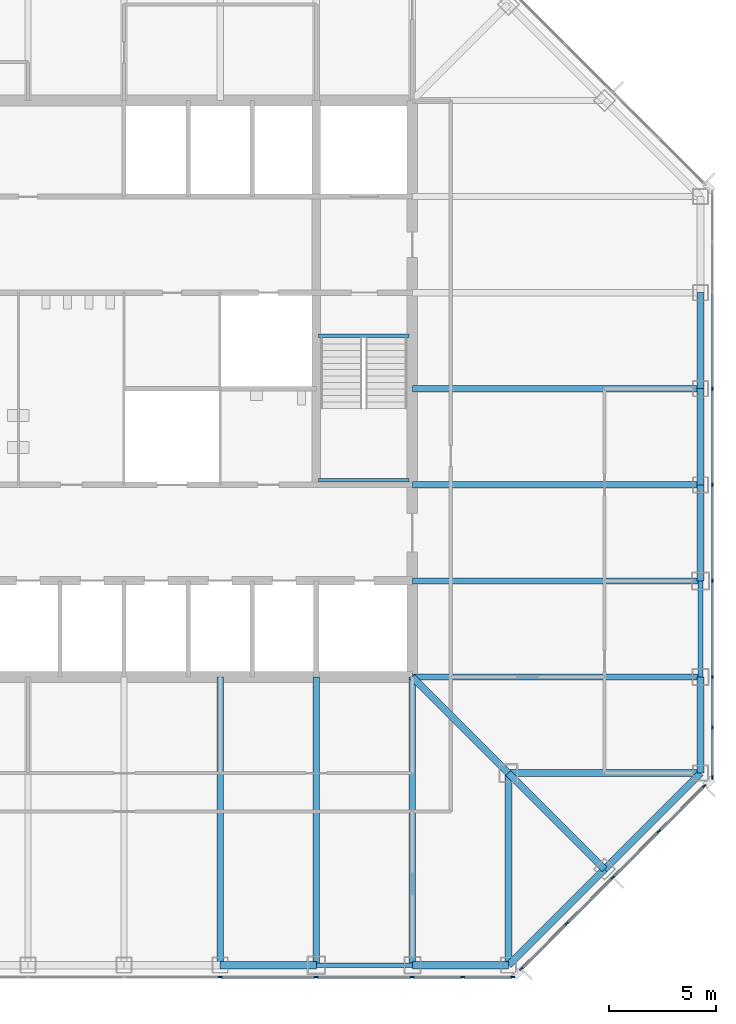
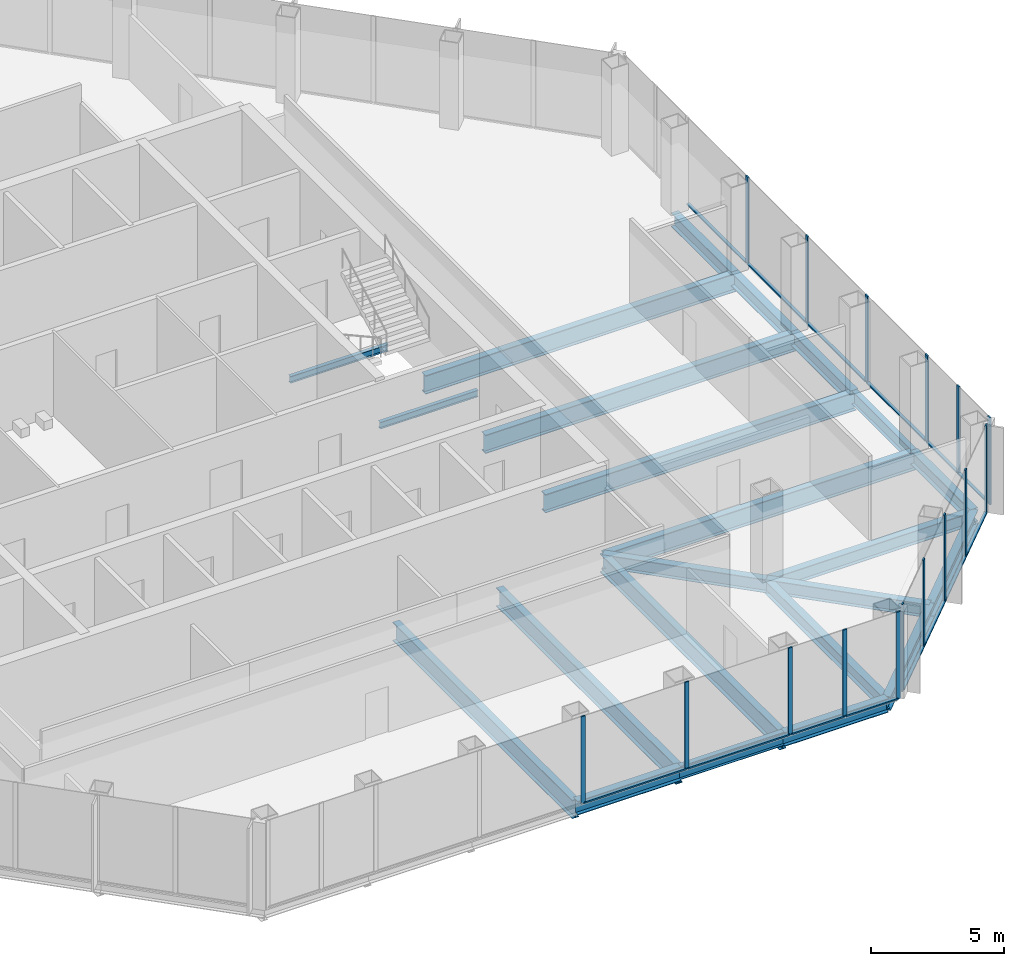
# One storey, part 4 of 12: 30 members, 23 beams, 3 elements without a shape of their own.
"""IFC4 building model written with IfcOpenShell, lengths in metres."""

import ifcopenshell
import ifcopenshell.guid

model = None  # the IFC model being written
_history = None  # IfcOwnerHistory: only IFC2X3 demands one
_inside = {}  # id of a spatial element -> (the spatial element, [elements in it])
_under = {}  # id of a project, library or spatial element -> (it, [spatial elements below it])
_declared = {}  # id of a project -> (the project, [libraries it declares])
_typed = {}  # id of a type object -> (the type object, [elements of that type])
_made_of = {}  # id of a material, layer set ... -> (it, [elements and type objects made of it])


def new_model(schema):
    """Start an empty IFC model of exactly this schema.

    Asked for "IFC4X3", IfcOpenShell would pick the latest addendum, in which some entities
    have other attributes; the version numbers below select the first issue.
    IFC2X3 requires an IfcOwnerHistory on every rooted entity: one is made here for all.
    """
    global model, _history
    if schema == "IFC4X3":
        model = ifcopenshell.file(schema_version=(4, 3, 0, 0))
    else:
        model = ifcopenshell.file(schema=schema)
    _inside.clear()
    _under.clear()
    _declared.clear()
    _typed.clear()
    _made_of.clear()
    _history = None
    if model.schema == "IFC2X3":
        org = make("IfcOrganization", Name="unknown")
        user = make(
            "IfcPersonAndOrganization",
            ThePerson=make("IfcPerson", FamilyName="unknown"),
            TheOrganization=org,
        )
        app = make(
            "IfcApplication",
            ApplicationDeveloper=org,
            Version="unknown",
            ApplicationFullName="unknown",
            ApplicationIdentifier="unknown",
        )
        _history = make(
            "IfcOwnerHistory",
            OwningUser=user,
            OwningApplication=app,
            ChangeAction="ADDED",
            CreationDate=0,
        )
    return model


def make(cls, **values):
    """One entity of the class cls with the attributes given. An attribute that is None is left unset."""
    return model.create_entity(
        cls, **{name: value for name, value in values.items() if value is not None}
    )


def rooted(cls, **values):
    """An entity with a GlobalId (a new one), such as an element, a storey or a relation."""
    return make(cls, GlobalId=ifcopenshell.guid.new(), OwnerHistory=_history, **values)


def si_unit(unit_type, name, prefix=None):
    """IfcSIUnit, for example si_unit("LENGTHUNIT", "METRE", prefix="MILLI")."""
    return make("IfcSIUnit", UnitType=unit_type, Prefix=prefix, Name=name)


def assignment(units):
    """IfcUnitAssignment: the units of a project."""
    return None if units is None else make("IfcUnitAssignment", Units=units)


def point(xyz):
    """IfcCartesianPoint."""
    return None if xyz is None else make("IfcCartesianPoint", Coordinates=xyz)


def direction(xyz):
    """IfcDirection."""
    return None if xyz is None else make("IfcDirection", DirectionRatios=xyz)


def frame(location, z_axis=None, x_axis=None):
    """IfcAxis2Placement3D, a coordinate frame: its origin and axes. An axis left out is left unset."""
    return make(
        "IfcAxis2Placement3D",
        Location=point(location),
        Axis=direction(z_axis),
        RefDirection=direction(x_axis),
    )


def frame_2d(location, x_axis=None):
    """IfcAxis2Placement2D, a coordinate frame in the plane: its origin and x axis."""
    return make(
        "IfcAxis2Placement2D", Location=point(location), RefDirection=direction(x_axis)
    )


def origin():
    """The frame at (0, 0, 0) with its axes left unset."""
    return frame((0.0, 0.0, 0.0))


def origin_2d():
    """The frame at (0, 0) in the plane with its x axis left unset."""
    return frame_2d((0.0, 0.0))


def place(relative_to, where):
    """IfcLocalPlacement: puts the frame where relative to a parent placement (None: the world)."""
    return make(
        "IfcLocalPlacement", PlacementRelTo=relative_to, RelativePlacement=where
    )


def context(
    kind, dimensions, precision=None, world=None, true_north=None, identifier=None
):
    """IfcGeometricRepresentationContext, for example the 3D "Model" context."""
    return make(
        "IfcGeometricRepresentationContext",
        ContextIdentifier=identifier,
        ContextType=kind,
        CoordinateSpaceDimension=dimensions,
        Precision=precision,
        WorldCoordinateSystem=world,
        TrueNorth=true_north,
    )


def subcontext(parent, identifier, kind, view, scale=None):
    """IfcGeometricRepresentationSubContext, for example "Body" below "Model"."""
    return make(
        "IfcGeometricRepresentationSubContext",
        ContextIdentifier=identifier,
        ContextType=kind,
        ParentContext=parent,
        TargetScale=scale,
        TargetView=view,
    )


def project(units=None, contexts=None):
    """IfcProject with its units and contexts."""
    return rooted(
        "IfcProject",
        Name="project",
        RepresentationContexts=contexts,
        UnitsInContext=assignment(units),
    )


def spatial(cls, under=None, at=None, **own):
    """A site, building, storey or space (cls), placed at a placement, below another one or the project."""
    s = rooted(cls, ObjectPlacement=at, **own)
    if under is not None:
        _under.setdefault(under.id(), (under, []))[1].append(s)
    return s


def profile(cls, at=None, kind="AREA", **sizes):
    """A parametric profile (cls). Its sizes go by their IFC names, for example OverallWidth=200.0."""
    return make(cls, ProfileType=kind, Position=at, **sizes)


def rectangle(**sizes):
    """IfcRectangleProfileDef."""
    return profile("IfcRectangleProfileDef", **sizes)


def i_section(**sizes):
    """IfcIShapeProfileDef."""
    return profile("IfcIShapeProfileDef", **sizes)


def extrude(swept, where, along, depth):
    """IfcExtrudedAreaSolid: the profile swept, set in the frame where, extruded along a direction by depth."""
    return make(
        "IfcExtrudedAreaSolid",
        SweptArea=swept,
        Position=where,
        ExtrudedDirection=direction(along),
        Depth=depth,
    )


def shape(context_of_items, identifier, shape_type, items):
    """IfcShapeRepresentation: the items that make up one representation, for example the "Body"."""
    return make(
        "IfcShapeRepresentation",
        ContextOfItems=context_of_items,
        RepresentationIdentifier=identifier,
        RepresentationType=shape_type,
        Items=items,
    )


def material(Name=None, Category=None):
    """IfcMaterial."""
    return make("IfcMaterial", Name=Name, Category=Category)


def material_profile(
    of_material, cross_section, Name=None, Category=None, Priority=None
):
    """IfcMaterialProfile: a cross section and its material."""
    return make(
        "IfcMaterialProfile",
        Name=Name,
        Material=of_material,
        Profile=cross_section,
        Priority=Priority,
        Category=Category,
    )


def profile_set(profiles, Name=None, composite=None):
    """IfcMaterialProfileSet."""
    return make(
        "IfcMaterialProfileSet",
        Name=Name,
        MaterialProfiles=profiles,
        CompositeProfile=composite,
    )


def made_of(thing, what):
    """Note that an element or type object is made of a material, layer set ...; save() writes the relation."""
    if what is not None:
        _made_of.setdefault(what.id(), (what, []))[1].append(thing)
    return thing


def type_object(cls, material=None, **own):
    """A type object (cls), such as IfcWallType, which elements share."""
    return made_of(rooted(cls, **own), material)


def element(
    cls,
    number,
    at=None,
    inside=None,
    cuts=None,
    type_object=None,
    material=None,
    context=None,
    identifier="Body",
    shape_type=None,
    held_by="IfcProductDefinitionShape",
    body=None,
    shapes=None,
    **own,
):
    """One element of the class cls, such as IfcWall. Its Tag is "e" and its number.

    at: its placement. inside: the storey or other place that contains it. cuts: it is an
    opening in that element (IfcRelVoidsElement). A single representation is given by context,
    identifier, shape_type and body (its items); several are given by shapes. held_by: the class
    of the entity that holds the representations. save() writes the other relations.
    """
    e = rooted(cls, Tag="e%d" % number, ObjectPlacement=at, **own)
    if body is not None:
        shapes = [shape(context, identifier, shape_type, body)]
    if shapes is not None:
        e.Representation = make(held_by, Representations=shapes)
    if inside is not None:
        _inside.setdefault(inside.id(), (inside, []))[1].append(e)
    if cuts is not None:
        rooted(
            "IfcRelVoidsElement", RelatingBuildingElement=cuts, RelatedOpeningElement=e
        )
    if type_object is not None:
        _typed.setdefault(type_object.id(), (type_object, []))[1].append(e)
    return made_of(e, material)


def aggregate(whole, parts):
    """IfcRelAggregates: a whole, such as a stair, and the parts it consists of."""
    return rooted("IfcRelAggregates", RelatingObject=whole, RelatedObjects=parts)


def save(model, path):
    """Write the relations noted so far, then the file.

    IfcRelAggregates (storeys below a building ...), IfcRelContainedInSpatialStructure (elements
    in a storey), IfcRelDefinesByType, IfcRelAssociatesMaterial and IfcRelDeclares: one each for
    every whole, place, type object, material and project.
    """
    for whole, parts in _under.values():
        aggregate(whole, parts)
    for where, things in _inside.values():
        rooted(
            "IfcRelContainedInSpatialStructure",
            RelatedElements=things,
            RelatingStructure=where,
        )
    for kind, things in _typed.values():
        rooted("IfcRelDefinesByType", RelatedObjects=things, RelatingType=kind)
    for what, things in _made_of.values():
        rooted("IfcRelAssociatesMaterial", RelatedObjects=things, RelatingMaterial=what)
    for by, libraries in _declared.values():
        rooted("IfcRelDeclares", RelatingContext=by, RelatedDefinitions=libraries)
    model.write(path)


model = new_model("IFC4")

# Units and contexts
model_context = context("Model", 3, precision=1e-05, world=origin(), true_north=direction((0.0, 1.0)))
body_context = subcontext(model_context, "Body", "Model", "MODEL_VIEW")
ifc_project = project(units=[si_unit("LENGTHUNIT", "METRE"), si_unit("AREAUNIT", "SQUARE_METRE"), si_unit("VOLUMEUNIT", "CUBIC_METRE"), si_unit("PLANEANGLEUNIT", "RADIAN"), si_unit("MASSUNIT", "GRAM", prefix="KILO")], contexts=[model_context])

# Site, building, storey
site_placement = place(None, origin())
site = spatial("IfcSite", under=ifc_project, at=site_placement, CompositionType="ELEMENT")
building_placement = place(site_placement, origin())
building = spatial("IfcBuilding", under=site, at=building_placement, Name="Corais Broadcast Tower", CompositionType="ELEMENT")
storey_placement = place(building_placement, frame((0.0, 0.0, 135.60009765625)))
storey = spatial("IfcBuildingStorey", under=building, at=storey_placement, Name="L30", CompositionType="ELEMENT", Elevation=135.60009765625)

# Beams
ifc_material_1 = material(Name="Steel ASTM A572 Grade 50", Category="steel")
ifc_material_profile_1 = material_profile(ifc_material_1, i_section(OverallWidth=0.323974609375, OverallDepth=0.611083984375, WebThickness=0.0126953125, FlangeThickness=0.01904296875, at=origin_2d()), Name="W610x155")
ifc_profile_set_1 = profile_set([ifc_material_profile_1], Name="Steel ASTM A572 Grade 50")
beam_type_1 = type_object("IfcBeamType", Name="Chamfer tie W610x155", PredefinedType="BEAM", material=ifc_profile_set_1)
beam_1_placement = place(storey_placement, frame((49.5, 4.5, -0.465576171875), z_axis=(-0.707106781187, 0.707106781187, 0.0), x_axis=(-0.707106781187, -0.707106781187, 0.0)))
element("IfcBeam", 1, at=beam_1_placement, inside=storey, type_object=beam_type_1, Name="B5 B/14 to C/13", PredefinedType="BEAM", context=body_context, shape_type="SweptSolid", body=[
    extrude(i_section(OverallWidth=0.323974609375, OverallDepth=0.611083984375, WebThickness=0.0126953125, FlangeThickness=0.01904296875, at=origin_2d()), origin(), (0.0, 0.0, 1.0), 6.364013671875),
])
ifc_material_2 = material(Name="Steel ASTM A572 Grade 50", Category="steel")
ifc_material_profile_2 = material_profile(ifc_material_2, i_section(OverallWidth=0.323974609375, OverallDepth=0.611083984375, WebThickness=0.0126953125, FlangeThickness=0.01904296875, at=origin_2d()), Name="W610x155")
ifc_profile_set_2 = profile_set([ifc_material_profile_2], Name="Steel ASTM A572 Grade 50")
beam_type_2 = type_object("IfcBeamType", Name="Corner diagonal W610x155", PredefinedType="BEAM", material=ifc_profile_set_2)
beam_2_placement = place(storey_placement, frame((45.0, 9.0, -0.465576171875), z_axis=(-0.707106781187, 0.707106781187, 0.0), x_axis=(-0.707106781187, -0.707106781187, 0.0)))
element("IfcBeam", 2, at=beam_2_placement, inside=storey, type_object=beam_type_2, Name="B6 C/13 to D/12", PredefinedType="BEAM", context=body_context, shape_type="SweptSolid", body=[
    extrude(i_section(OverallWidth=0.323974609375, OverallDepth=0.611083984375, WebThickness=0.0126953125, FlangeThickness=0.01904296875, at=origin_2d()), origin(), (0.0, 0.0, 1.0), 6.364013671875),
])
ifc_material_3 = material(Name="Steel ASTM A572 Grade 50", Category="steel")
ifc_material_profile_3 = material_profile(ifc_material_3, i_section(OverallWidth=0.323974609375, OverallDepth=0.611083984375, WebThickness=0.0126953125, FlangeThickness=0.01904296875, at=origin_2d()), Name="W610x155")
ifc_profile_set_3 = profile_set([ifc_material_profile_3], Name="Steel ASTM A572 Grade 50")
beam_type_3 = type_object("IfcBeamType", Name="Corner girder W610x155", PredefinedType="BEAM", material=ifc_profile_set_3)
for number, where, z_axis, x_axis, name in (
    (3, (45.0, 0.0, -0.465576171875), (0.0, 1.0, 0.0), (-1.0, 0.0, 0.0), "B4 A/13 to C/13"),
    (4, (54.0, 9.0, -0.465576171875), (-1.0, 0.0, 0.0), (0.0, -1.0, 0.0), "B4 C/15 to C/13"),
):
    element("IfcBeam", number, at=place(storey_placement, frame(where, z_axis=z_axis, x_axis=x_axis)), inside=storey, type_object=beam_type_3, Name=name, PredefinedType="BEAM", context=body_context, shape_type="SweptSolid", body=[
        extrude(i_section(OverallWidth=0.323974609375, OverallDepth=0.611083984375, WebThickness=0.0126953125, FlangeThickness=0.01904296875, at=origin_2d()), origin(), (0.0, 0.0, 1.0), 9.0),
    ])
ifc_material_4 = material(Name="Steel ASTM A572 Grade 50", Category="steel")
ifc_material_profile_4 = material_profile(ifc_material_4, i_section(OverallWidth=0.2939453125, OverallDepth=0.85107421875, WebThickness=0.01611328125, FlangeThickness=0.02685546875, at=origin_2d()), Name="W840x226")
ifc_profile_set_4 = profile_set([ifc_material_profile_4], Name="Steel ASTM A572 Grade 50")
beam_type_4 = type_object("IfcBeamType", Name="Floor beam W840x226", PredefinedType="BEAM", material=ifc_profile_set_4)
for number, where, z_axis, x_axis, name in (
    (5, (31.5, 0.0, -0.585693359375), (0.0, 1.0, 0.0), (-1.0, 0.0, 0.0), "B1 A/10 to D/10"),
    (6, (36.0, 0.0, -0.585693359375), (0.0, 1.0, 0.0), (-1.0, 0.0, 0.0), "B1 A/11 to D/11"),
    (7, (40.5, 0.0, -0.585693359375), (0.0, 1.0, 0.0), (-1.0, 0.0, 0.0), "B1 A/12 to D/12"),
    (8, (54.0, 13.5, -0.585693359375), (-1.0, 0.0, 0.0), (0.0, -1.0, 0.0), "B1 D/15 to D/12"),
    (9, (54.0, 18.0, -0.585693359375), (-1.0, 0.0, 0.0), (0.0, -1.0, 0.0), "B1 E/15 to E/12"),
    (10, (54.0, 22.5, -0.585693359375), (-1.0, 0.0, 0.0), (0.0, -1.0, 0.0), "B1 F/15 to F/12"),
    (11, (54.0, 27.0, -0.585693359375), (-1.0, 0.0, 0.0), (0.0, -1.0, 0.0), "B1 G/15 to G/12"),
):
    element("IfcBeam", number, at=place(storey_placement, frame(where, z_axis=z_axis, x_axis=x_axis)), inside=storey, type_object=beam_type_4, Name=name, PredefinedType="BEAM", context=body_context, shape_type="SweptSolid", body=[
        extrude(i_section(OverallWidth=0.2939453125, OverallDepth=0.85107421875, WebThickness=0.01611328125, FlangeThickness=0.02685546875, at=origin_2d()), origin(), (0.0, 0.0, 1.0), 13.5),
    ])
ifc_material_5 = material(Name="Steel ASTM A572 Grade 50", Category="steel")
ifc_material_profile_5 = material_profile(ifc_material_5, i_section(OverallWidth=0.1650390625, OverallDepth=0.31005859375, WebThickness=0.005859375, FlangeThickness=0.009765625, at=origin_2d()), Name="W310x38.7")
ifc_profile_set_5 = profile_set([ifc_material_profile_5], Name="Steel ASTM A572 Grade 50")
beam_type_5 = type_object("IfcBeamType", Name="Landing trimmer W310x38.7", PredefinedType="BEAM", material=ifc_profile_set_5)
for number, where, z_axis, x_axis, name in (
    (12, (36.10009765625, 29.47509765625, -0.35498046875), (1.0, 0.0, 0.0), (0.0, 1.0, 0.0), "LT1 stair B landing trimmer L30"),
    (13, (36.10009765625, 22.715087890625, 1.64501953125), (1.0, 0.0, 0.0), (0.0, 1.0, 0.0), "LT1 stair B half landing trimmer L30"),
):
    element("IfcBeam", number, at=place(storey_placement, frame(where, z_axis=z_axis, x_axis=x_axis)), inside=storey, type_object=beam_type_5, Name=name, PredefinedType="BEAM", context=body_context, shape_type="SweptSolid", body=[
        extrude(i_section(OverallWidth=0.1650390625, OverallDepth=0.31005859375, WebThickness=0.005859375, FlangeThickness=0.009765625, at=origin_2d()), origin(), (0.0, 0.0, 1.0), 4.25),
    ])

# Curtain wall, members
ifc_material_6 = material(Name="Aluminium and glass", Category="aluminium")
curtain_wall_type = type_object("IfcCurtainWallType", Name="Unitised fritted curtain wall CW2", PredefinedType="NOTDEFINED", material=ifc_material_6)
curtain_wall_1_placement = place(storey_placement, origin())
curtain_wall_1 = element("IfcCurtainWall", 14, at=curtain_wall_1_placement, inside=storey, type_object=curtain_wall_type, Name="CW2 curtain wall L30 6", PredefinedType="NOTDEFINED")
ifc_material_7 = material(Name="Aluminium 6063-T6", Category="aluminium")
ifc_material_profile_6 = material_profile(ifc_material_7, rectangle(XDim=0.06494140625, YDim=0.179931640625, at=origin_2d()), Name="Mullion CW2 65x180")
ifc_profile_set_6 = profile_set([ifc_material_profile_6], Name="Aluminium 6063-T6")
member_type_1 = type_object("IfcMemberType", Name="Mullion CW2 65x180", PredefinedType="MULLION", material=ifc_profile_set_6)
member_1_placement = place(storey_placement, frame((54.550048828125, 27.0, 0.0), z_axis=(0.0, 0.0, 1.0), x_axis=(1.0, 0.0, 0.0)))
member_1 = element("IfcMember", 15, at=member_1_placement, type_object=member_type_1, Name="CW2 mullion 4", PredefinedType="MULLION", context=body_context, shape_type="SweptSolid", body=[
    extrude(rectangle(XDim=0.06494140625, YDim=0.179931640625, at=origin_2d()), origin(), (0.0, 0.0, 1.0), 4.0),
])
member_2_placement = place(storey_placement, frame((54.550048828125, 22.5, 0.0), z_axis=(0.0, 0.0, 1.0), x_axis=(1.0, 0.0, 0.0)))
member_2 = element("IfcMember", 16, at=member_2_placement, type_object=member_type_1, Name="CW2 mullion 5", PredefinedType="MULLION", context=body_context, shape_type="SweptSolid", body=[
    extrude(rectangle(XDim=0.06494140625, YDim=0.179931640625, at=origin_2d()), origin(), (0.0, 0.0, 1.0), 4.0),
])
member_3_placement = place(storey_placement, frame((54.550048828125, 18.0, 0.0), z_axis=(0.0, 0.0, 1.0), x_axis=(1.0, 0.0, 0.0)))
member_3 = element("IfcMember", 17, at=member_3_placement, type_object=member_type_1, Name="CW2 mullion 6", PredefinedType="MULLION", context=body_context, shape_type="SweptSolid", body=[
    extrude(rectangle(XDim=0.06494140625, YDim=0.179931640625, at=origin_2d()), origin(), (0.0, 0.0, 1.0), 4.0),
])
member_4_placement = place(storey_placement, frame((54.550048828125, 13.5, 0.0), z_axis=(0.0, 0.0, 1.0), x_axis=(1.0, 0.0, 0.0)))
member_4 = element("IfcMember", 18, at=member_4_placement, type_object=member_type_1, Name="CW2 mullion 7", PredefinedType="MULLION", context=body_context, shape_type="SweptSolid", body=[
    extrude(rectangle(XDim=0.06494140625, YDim=0.179931640625, at=origin_2d()), origin(), (0.0, 0.0, 1.0), 4.0),
])
member_5_placement = place(storey_placement, frame((54.550048828125, 11.135986328125, 0.0), z_axis=(0.0, 0.0, 1.0), x_axis=(1.0, 0.0, 0.0)))
member_5 = element("IfcMember", 19, at=member_5_placement, type_object=member_type_1, Name="CW2 mullion 8", PredefinedType="MULLION", context=body_context, shape_type="SweptSolid", body=[
    extrude(rectangle(XDim=0.06494140625, YDim=0.179931640625, at=origin_2d()), origin(), (0.0, 0.0, 1.0), 4.0),
])
member_6_placement = place(storey_placement, frame((54.550048828125, 8.8046875, 0.0), z_axis=(0.0, 0.0, 1.0), x_axis=(1.0, 0.0, 0.0)))
member_6 = element("IfcMember", 20, at=member_6_placement, type_object=member_type_1, Name="CW2 mullion 9", PredefinedType="MULLION", context=body_context, shape_type="SweptSolid", body=[
    extrude(rectangle(XDim=0.06494140625, YDim=0.179931640625, at=origin_2d()), origin(), (0.0, 0.0, 1.0), 4.0),
])

curtain_wall_2_placement = place(storey_placement, origin())
curtain_wall_2 = element("IfcCurtainWall", 21, at=curtain_wall_2_placement, inside=storey, type_object=curtain_wall_type, Name="CW2 curtain wall L30 7", PredefinedType="NOTDEFINED")
member_7_placement = place(storey_placement, frame((54.17333984375, 8.3955078125, 0.0), z_axis=(0.0, 0.0, 1.0), x_axis=(0.707106781187, -0.707106781187, 0.0)))
member_7 = element("IfcMember", 22, at=member_7_placement, type_object=member_type_1, Name="CW2 mullion 1", PredefinedType="MULLION", context=body_context, shape_type="SweptSolid", body=[
    extrude(rectangle(XDim=0.06494140625, YDim=0.179931640625, at=origin_2d()), origin(), (0.0, 0.0, 1.0), 4.0),
])
member_8_placement = place(storey_placement, frame((52.042724609375, 6.264892578125, 0.0), z_axis=(0.0, 0.0, 1.0), x_axis=(0.707106781187, -0.707106781187, 0.0)))
member_8 = element("IfcMember", 23, at=member_8_placement, type_object=member_type_1, Name="CW2 mullion 2", PredefinedType="MULLION", context=body_context, shape_type="SweptSolid", body=[
    extrude(rectangle(XDim=0.06494140625, YDim=0.179931640625, at=origin_2d()), origin(), (0.0, 0.0, 1.0), 4.0),
])
member_9_placement = place(storey_placement, frame((49.888916015625, 4.111083984375, 0.0), z_axis=(0.0, 0.0, 1.0), x_axis=(0.707106781187, -0.707106781187, 0.0)))
member_9 = element("IfcMember", 24, at=member_9_placement, type_object=member_type_1, Name="CW2 mullion 3", PredefinedType="MULLION", context=body_context, shape_type="SweptSolid", body=[
    extrude(rectangle(XDim=0.06494140625, YDim=0.179931640625, at=origin_2d()), origin(), (0.0, 0.0, 1.0), 4.0),
])
member_10_placement = place(storey_placement, frame((47.735107421875, 1.957275390625, 0.0), z_axis=(0.0, 0.0, 1.0), x_axis=(0.707106781187, -0.707106781187, 0.0)))
member_10 = element("IfcMember", 25, at=member_10_placement, type_object=member_type_1, Name="CW2 mullion 4", PredefinedType="MULLION", context=body_context, shape_type="SweptSolid", body=[
    extrude(rectangle(XDim=0.06494140625, YDim=0.179931640625, at=origin_2d()), origin(), (0.0, 0.0, 1.0), 4.0),
])
member_11_placement = place(storey_placement, frame((45.6044921875, -0.17333984375, 0.0), z_axis=(0.0, 0.0, 1.0), x_axis=(0.707106781187, -0.707106781187, 0.0)))
member_11 = element("IfcMember", 26, at=member_11_placement, type_object=member_type_1, Name="CW2 mullion 5", PredefinedType="MULLION", context=body_context, shape_type="SweptSolid", body=[
    extrude(rectangle(XDim=0.06494140625, YDim=0.179931640625, at=origin_2d()), origin(), (0.0, 0.0, 1.0), 4.0),
])

curtain_wall_3_placement = place(storey_placement, origin())
curtain_wall_3 = element("IfcCurtainWall", 27, at=curtain_wall_3_placement, inside=storey, type_object=curtain_wall_type, Name="CW2 curtain wall L30 8", PredefinedType="NOTDEFINED")
member_12_placement = place(storey_placement, frame((45.1953125, -0.550048828125, 0.0), z_axis=(0.0, 0.0, 1.0), x_axis=(0.0, -1.0, 0.0)))
member_12 = element("IfcMember", 28, at=member_12_placement, type_object=member_type_1, Name="CW2 mullion 1", PredefinedType="MULLION", context=body_context, shape_type="SweptSolid", body=[
    extrude(rectangle(XDim=0.06494140625, YDim=0.179931640625, at=origin_2d()), origin(), (0.0, 0.0, 1.0), 4.0),
])
member_13_placement = place(storey_placement, frame((42.864013671875, -0.550048828125, 0.0), z_axis=(0.0, 0.0, 1.0), x_axis=(0.0, -1.0, 0.0)))
member_13 = element("IfcMember", 29, at=member_13_placement, type_object=member_type_1, Name="CW2 mullion 2", PredefinedType="MULLION", context=body_context, shape_type="SweptSolid", body=[
    extrude(rectangle(XDim=0.06494140625, YDim=0.179931640625, at=origin_2d()), origin(), (0.0, 0.0, 1.0), 4.0),
])
member_14_placement = place(storey_placement, frame((40.5, -0.550048828125, 0.0), z_axis=(0.0, 0.0, 1.0), x_axis=(0.0, -1.0, 0.0)))
member_14 = element("IfcMember", 30, at=member_14_placement, type_object=member_type_1, Name="CW2 mullion 3", PredefinedType="MULLION", context=body_context, shape_type="SweptSolid", body=[
    extrude(rectangle(XDim=0.06494140625, YDim=0.179931640625, at=origin_2d()), origin(), (0.0, 0.0, 1.0), 4.0),
])
member_15_placement = place(storey_placement, frame((36.0, -0.550048828125, 0.0), z_axis=(0.0, 0.0, 1.0), x_axis=(0.0, -1.0, 0.0)))
member_15 = element("IfcMember", 31, at=member_15_placement, type_object=member_type_1, Name="CW2 mullion 4", PredefinedType="MULLION", context=body_context, shape_type="SweptSolid", body=[
    extrude(rectangle(XDim=0.06494140625, YDim=0.179931640625, at=origin_2d()), origin(), (0.0, 0.0, 1.0), 4.0),
])
member_16_placement = place(storey_placement, frame((31.5, -0.550048828125, 0.0), z_axis=(0.0, 0.0, 1.0), x_axis=(0.0, -1.0, 0.0)))
member_16 = element("IfcMember", 32, at=member_16_placement, type_object=member_type_1, Name="CW2 mullion 5", PredefinedType="MULLION", context=body_context, shape_type="SweptSolid", body=[
    extrude(rectangle(XDim=0.06494140625, YDim=0.179931640625, at=origin_2d()), origin(), (0.0, 0.0, 1.0), 4.0),
])

# Beams
ifc_material_8 = material(Name="Steel ASTM A572 Grade 50", Category="steel")
ifc_material_profile_7 = material_profile(ifc_material_8, i_section(OverallWidth=0.22900390625, OverallDepth=0.612060546875, WebThickness=0.011962890625, FlangeThickness=0.01953125, at=origin_2d()), Name="W610x125")
ifc_profile_set_7 = profile_set([ifc_material_profile_7], Name="Steel ASTM A572 Grade 50")
beam_type_6 = type_object("IfcBeamType", Name="Pinned spandrel W610x125", PredefinedType="BEAM", material=ifc_profile_set_7)
for number, where, z_axis, x_axis, name in (
    (33, (36.0, 0.0, -0.466064453125), (1.0, 0.0, 0.0), (0.0, 1.0, 0.0), "SB7 A/11 to A/12"),
    (34, (54.0, 13.5, -0.466064453125), (0.0, 1.0, 0.0), (-1.0, 0.0, 0.0), "SB7 D/15 to E/15"),
):
    element("IfcBeam", number, at=place(storey_placement, frame(where, z_axis=z_axis, x_axis=x_axis)), inside=storey, type_object=beam_type_6, Name=name, PredefinedType="BEAM", context=body_context, shape_type="SweptSolid", body=[
        extrude(i_section(OverallWidth=0.22900390625, OverallDepth=0.612060546875, WebThickness=0.011962890625, FlangeThickness=0.01953125, at=origin_2d()), origin(), (0.0, 0.0, 1.0), 4.5),
    ])
ifc_material_9 = material(Name="Steel ASTM A572 Grade 50", Category="steel")
ifc_material_profile_8 = material_profile(ifc_material_9, i_section(OverallWidth=0.3291015625, OverallDepth=0.635009765625, WebThickness=0.017822265625, FlangeThickness=0.031005859375, at=origin_2d()), Name="W610x241")
ifc_profile_set_8 = profile_set([ifc_material_profile_8], Name="Steel ASTM A572 Grade 50")
beam_type_7 = type_object("IfcBeamType", Name="Spandrel W610x241", PredefinedType="BEAM", material=ifc_profile_set_8)
for number, where, z_axis, x_axis, name in (
    (35, (31.5, 0.0, -0.4775390625), (1.0, 0.0, 0.0), (0.0, 1.0, 0.0), "SB1 A/10 to A/11"),
    (36, (40.5, 0.0, -0.4775390625), (1.0, 0.0, 0.0), (0.0, 1.0, 0.0), "SB1 A/12 to A/13"),
):
    element("IfcBeam", number, at=place(storey_placement, frame(where, z_axis=z_axis, x_axis=x_axis)), inside=storey, type_object=beam_type_7, Name=name, PredefinedType="BEAM", context=body_context, shape_type="SweptSolid", body=[
        extrude(i_section(OverallWidth=0.3291015625, OverallDepth=0.635009765625, WebThickness=0.017822265625, FlangeThickness=0.031005859375, at=origin_2d()), origin(), (0.0, 0.0, 1.0), 4.5),
    ])
for number, where, z_axis, x_axis, name in (
    (37, (45.0, 0.0, -0.4775390625), (0.707106781187, 0.707106781187, 0.0), (-0.707106781187, 0.707106781187, 0.0), "SB1 A/13 to B/14"),
    (38, (49.5, 4.5, -0.4775390625), (0.707106781187, 0.707106781187, 0.0), (-0.707106781187, 0.707106781187, 0.0), "SB1 B/14 to C/15"),
):
    element("IfcBeam", number, at=place(storey_placement, frame(where, z_axis=z_axis, x_axis=x_axis)), inside=storey, type_object=beam_type_7, Name=name, PredefinedType="BEAM", context=body_context, shape_type="SweptSolid", body=[
        extrude(i_section(OverallWidth=0.3291015625, OverallDepth=0.635009765625, WebThickness=0.017822265625, FlangeThickness=0.031005859375, at=origin_2d()), origin(), (0.0, 0.0, 1.0), 6.364013671875),
    ])
for number, where, z_axis, x_axis, name in (
    (39, (54.0, 18.0, -0.4775390625), (0.0, 1.0, 0.0), (-1.0, 0.0, 0.0), "SB1 E/15 to F/15"),
    (40, (54.0, 22.5, -0.4775390625), (0.0, 1.0, 0.0), (-1.0, 0.0, 0.0), "SB1 F/15 to G/15"),
    (41, (54.0, 27.0, -0.4775390625), (0.0, 1.0, 0.0), (-1.0, 0.0, 0.0), "SB1 G/15 to H/15"),
    (42, (54.0, 9.0, -0.4775390625), (0.0, 1.0, 0.0), (-1.0, 0.0, 0.0), "SB1 C/15 to D/15"),
):
    element("IfcBeam", number, at=place(storey_placement, frame(where, z_axis=z_axis, x_axis=x_axis)), inside=storey, type_object=beam_type_7, Name=name, PredefinedType="BEAM", context=body_context, shape_type="SweptSolid", body=[
        extrude(i_section(OverallWidth=0.3291015625, OverallDepth=0.635009765625, WebThickness=0.017822265625, FlangeThickness=0.031005859375, at=origin_2d()), origin(), (0.0, 0.0, 1.0), 4.5),
    ])

# Member
ifc_material_10 = material(Name="Aluminium 6063-T6", Category="aluminium")
ifc_material_profile_9 = material_profile(ifc_material_10, rectangle(XDim=0.1298828125, YDim=0.06494140625, at=origin_2d()), Name="Transom CW2 65x130")
ifc_profile_set_9 = profile_set([ifc_material_profile_9], Name="Aluminium 6063-T6")
member_type_2 = type_object("IfcMemberType", Name="Transom CW2 65x130", PredefinedType="USERDEFINED", material=ifc_profile_set_9)
member_17_placement = place(storey_placement, frame((54.550048828125, 31.467529296875, 0.032470703125), z_axis=(0.0, -1.0, 0.0), x_axis=(1.0, 0.0, 0.0)))
member_17 = element("IfcMember", 43, at=member_17_placement, type_object=member_type_2, Name="CW2 transom 3.1", ObjectType="TRANSOM", PredefinedType="USERDEFINED", context=body_context, shape_type="SweptSolid", body=[
    extrude(rectangle(XDim=0.1298828125, YDim=0.06494140625, at=origin_2d()), origin(), (0.0, 0.0, 1.0), 4.43505859375),
])

member_18_placement = place(storey_placement, frame((54.550048828125, 26.967529296875, 0.032470703125), z_axis=(0.0, -1.0, 0.0), x_axis=(1.0, 0.0, 0.0)))
member_18 = element("IfcMember", 44, at=member_18_placement, type_object=member_type_2, Name="CW2 transom 4.1", ObjectType="TRANSOM", PredefinedType="USERDEFINED", context=body_context, shape_type="SweptSolid", body=[
    extrude(rectangle(XDim=0.1298828125, YDim=0.06494140625, at=origin_2d()), origin(), (0.0, 0.0, 1.0), 4.43505859375),
])

member_19_placement = place(storey_placement, frame((54.550048828125, 22.467529296875, 0.032470703125), z_axis=(0.0, -1.0, 0.0), x_axis=(1.0, 0.0, 0.0)))
member_19 = element("IfcMember", 45, at=member_19_placement, type_object=member_type_2, Name="CW2 transom 5.1", ObjectType="TRANSOM", PredefinedType="USERDEFINED", context=body_context, shape_type="SweptSolid", body=[
    extrude(rectangle(XDim=0.1298828125, YDim=0.06494140625, at=origin_2d()), origin(), (0.0, 0.0, 1.0), 4.43505859375),
])

member_20_placement = place(storey_placement, frame((54.550048828125, 17.967529296875, 0.032470703125), z_axis=(0.0, -1.0, 0.0), x_axis=(1.0, 0.0, 0.0)))
member_20 = element("IfcMember", 46, at=member_20_placement, type_object=member_type_2, Name="CW2 transom 6.1", ObjectType="TRANSOM", PredefinedType="USERDEFINED", context=body_context, shape_type="SweptSolid", body=[
    extrude(rectangle(XDim=0.1298828125, YDim=0.06494140625, at=origin_2d()), origin(), (0.0, 0.0, 1.0), 4.43505859375),
])

member_21_placement = place(storey_placement, frame((54.550048828125, 13.467529296875, 0.032470703125), z_axis=(0.0, -1.0, 0.0), x_axis=(1.0, 0.0, 0.0)))
member_21 = element("IfcMember", 47, at=member_21_placement, type_object=member_type_2, Name="CW2 transom 7.1", ObjectType="TRANSOM", PredefinedType="USERDEFINED", context=body_context, shape_type="SweptSolid", body=[
    extrude(rectangle(XDim=0.1298828125, YDim=0.06494140625, at=origin_2d()), origin(), (0.0, 0.0, 1.0), 2.298828125),
])

member_22_placement = place(storey_placement, frame((54.550048828125, 11.103515625, 0.032470703125), z_axis=(0.0, -1.0, 0.0), x_axis=(1.0, 0.0, 0.0)))
member_22 = element("IfcMember", 48, at=member_22_placement, type_object=member_type_2, Name="CW2 transom 8.1", ObjectType="TRANSOM", PredefinedType="USERDEFINED", context=body_context, shape_type="SweptSolid", body=[
    extrude(rectangle(XDim=0.1298828125, YDim=0.06494140625, at=origin_2d()), origin(), (0.0, 0.0, 1.0), 2.266357421875),
])

aggregate(curtain_wall_1, [member_1, member_2, member_3, member_4, member_5, member_6, member_17, member_18, member_19, member_20, member_21, member_22])

member_23_placement = place(storey_placement, frame((54.150390625, 8.37255859375, 0.032470703125), z_axis=(-0.707106781187, -0.707106781187, 0.0), x_axis=(0.707106781187, -0.707106781187, 0.0)))
member_23 = element("IfcMember", 49, at=member_23_placement, type_object=member_type_2, Name="CW2 transom 1.1", ObjectType="TRANSOM", PredefinedType="USERDEFINED", context=body_context, shape_type="SweptSolid", body=[
    extrude(rectangle(XDim=0.1298828125, YDim=0.06494140625, at=origin_2d()), origin(), (0.0, 0.0, 1.0), 2.9482421875),
])

member_24_placement = place(storey_placement, frame((52.019775390625, 6.241943359375, 0.032470703125), z_axis=(-0.707106781187, -0.707106781187, 0.0), x_axis=(0.707106781187, -0.707106781187, 0.0)))
member_24 = element("IfcMember", 50, at=member_24_placement, type_object=member_type_2, Name="CW2 transom 2.1", ObjectType="TRANSOM", PredefinedType="USERDEFINED", context=body_context, shape_type="SweptSolid", body=[
    extrude(rectangle(XDim=0.1298828125, YDim=0.06494140625, at=origin_2d()), origin(), (0.0, 0.0, 1.0), 2.98095703125),
])

member_25_placement = place(storey_placement, frame((49.865966796875, 4.088134765625, 0.032470703125), z_axis=(-0.707106781187, -0.707106781187, 0.0), x_axis=(0.707106781187, -0.707106781187, 0.0)))
member_25 = element("IfcMember", 51, at=member_25_placement, type_object=member_type_2, Name="CW2 transom 3.1", ObjectType="TRANSOM", PredefinedType="USERDEFINED", context=body_context, shape_type="SweptSolid", body=[
    extrude(rectangle(XDim=0.1298828125, YDim=0.06494140625, at=origin_2d()), origin(), (0.0, 0.0, 1.0), 2.98095703125),
])

member_26_placement = place(storey_placement, frame((47.712158203125, 1.934326171875, 0.032470703125), z_axis=(-0.707106781187, -0.707106781187, 0.0), x_axis=(0.707106781187, -0.707106781187, 0.0)))
member_26 = element("IfcMember", 52, at=member_26_placement, type_object=member_type_2, Name="CW2 transom 4.1", ObjectType="TRANSOM", PredefinedType="USERDEFINED", context=body_context, shape_type="SweptSolid", body=[
    extrude(rectangle(XDim=0.1298828125, YDim=0.06494140625, at=origin_2d()), origin(), (0.0, 0.0, 1.0), 2.9482421875),
])

aggregate(curtain_wall_2, [member_7, member_8, member_9, member_10, member_11, member_23, member_24, member_25, member_26])

member_27_placement = place(storey_placement, frame((45.162841796875, -0.550048828125, 0.032470703125), z_axis=(-1.0, 0.0, 0.0), x_axis=(0.0, -1.0, 0.0)))
member_27 = element("IfcMember", 53, at=member_27_placement, type_object=member_type_2, Name="CW2 transom 1.1", ObjectType="TRANSOM", PredefinedType="USERDEFINED", context=body_context, shape_type="SweptSolid", body=[
    extrude(rectangle(XDim=0.1298828125, YDim=0.06494140625, at=origin_2d()), origin(), (0.0, 0.0, 1.0), 2.266357421875),
])

member_28_placement = place(storey_placement, frame((42.831298828125, -0.550048828125, 0.032470703125), z_axis=(-1.0, 0.0, 0.0), x_axis=(0.0, -1.0, 0.0)))
member_28 = element("IfcMember", 54, at=member_28_placement, type_object=member_type_2, Name="CW2 transom 2.1", ObjectType="TRANSOM", PredefinedType="USERDEFINED", context=body_context, shape_type="SweptSolid", body=[
    extrude(rectangle(XDim=0.1298828125, YDim=0.06494140625, at=origin_2d()), origin(), (0.0, 0.0, 1.0), 2.298828125),
])

member_29_placement = place(storey_placement, frame((40.467529296875, -0.550048828125, 0.032470703125), z_axis=(-1.0, 0.0, 0.0), x_axis=(0.0, -1.0, 0.0)))
member_29 = element("IfcMember", 55, at=member_29_placement, type_object=member_type_2, Name="CW2 transom 3.1", ObjectType="TRANSOM", PredefinedType="USERDEFINED", context=body_context, shape_type="SweptSolid", body=[
    extrude(rectangle(XDim=0.1298828125, YDim=0.06494140625, at=origin_2d()), origin(), (0.0, 0.0, 1.0), 4.43505859375),
])

member_30_placement = place(storey_placement, frame((35.967529296875, -0.550048828125, 0.032470703125), z_axis=(-1.0, 0.0, 0.0), x_axis=(0.0, -1.0, 0.0)))
member_30 = element("IfcMember", 56, at=member_30_placement, type_object=member_type_2, Name="CW2 transom 4.1", ObjectType="TRANSOM", PredefinedType="USERDEFINED", context=body_context, shape_type="SweptSolid", body=[
    extrude(rectangle(XDim=0.1298828125, YDim=0.06494140625, at=origin_2d()), origin(), (0.0, 0.0, 1.0), 4.43505859375),
])

aggregate(curtain_wall_3, [member_12, member_13, member_14, member_15, member_16, member_27, member_28, member_29, member_30])

save(model, "model.ifc")
